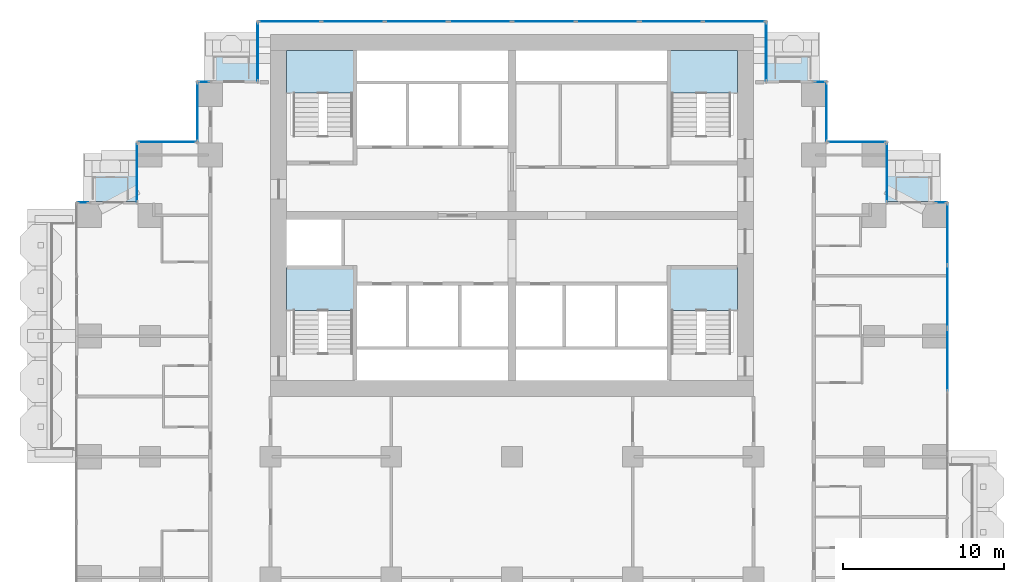
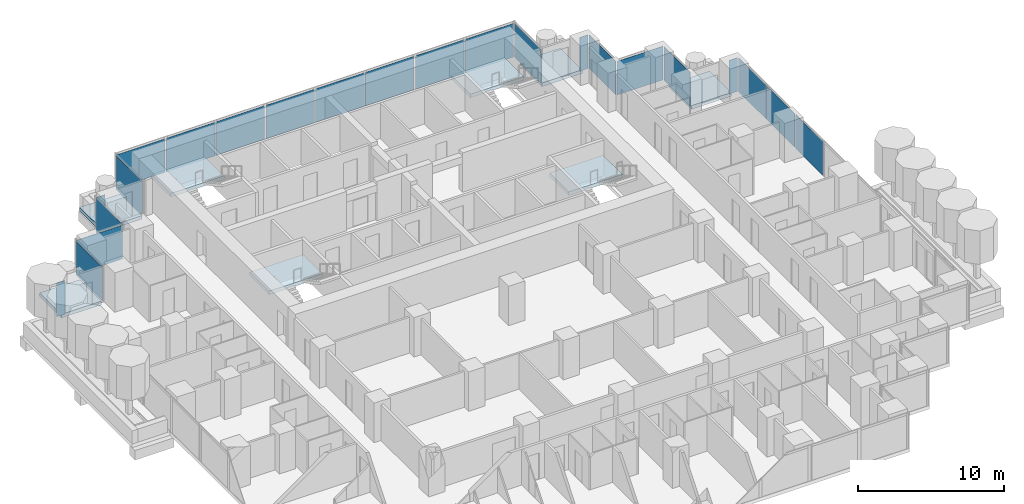
# One storey, part 9 of 19: 23 plates, 8 slabs, 21 elements without a shape of their own.
"""IFC4 building model written with IfcOpenShell, lengths in metres."""

from ifc_helpers import new_model, si_unit, direction, frame, origin, origin_2d, place, context, subcontext, project, spatial, polyline, rectangle, outline, extrude, material, layer, layer_set, type_object, element, aggregate, save


model = new_model("IFC4")

# Units and contexts
model_context = context("Model", 3, precision=1e-05, world=origin(), true_north=direction((0.0, 1.0)))
body_context = subcontext(model_context, "Body", "Model", "MODEL_VIEW")
ifc_project = project(units=[si_unit("LENGTHUNIT", "METRE"), si_unit("AREAUNIT", "SQUARE_METRE"), si_unit("VOLUMEUNIT", "CUBIC_METRE"), si_unit("PLANEANGLEUNIT", "RADIAN"), si_unit("MASSUNIT", "GRAM", prefix="KILO")], contexts=[model_context])

# Site, building, storey
site_placement = place(None, origin())
site = spatial("IfcSite", under=ifc_project, at=site_placement, CompositionType="ELEMENT")
building_placement = place(site_placement, origin())
building = spatial("IfcBuilding", under=site, at=building_placement, Name="Pilkhan Gate Tower", CompositionType="ELEMENT")
storey_placement = place(building_placement, frame((0.0, 0.0, 95.60009765625)))
storey = spatial("IfcBuildingStorey", under=building, at=storey_placement, Name="L23", CompositionType="ELEMENT", Elevation=95.60009765625)

# Slabs
ifc_material_1 = material(Name="Concrete C60/75", Category="concrete")
ifc_layer_1 = layer(ifc_material_1, 0.300048828125)
ifc_layer_set_1 = layer_set([ifc_layer_1], Name="Balcony tray slab TR300")
slab_type_1 = type_object("IfcSlabType", Name="Balcony tray slab TR300", PredefinedType="FLOOR", material=ifc_layer_set_1)
slab_1_placement = place(storey_placement, frame((0.0, 0.0, -0.300048828125)))
element("IfcSlab", 1, at=slab_1_placement, inside=storey, type_object=slab_type_1, Name="Balcony tray L23 N", PredefinedType="FLOOR", context=body_context, shape_type="SweptSolid", body=[
    extrude(outline(polyline([(59.14990234375, 90.85009765625), (59.14990234375, 93.85009765625), (55.949951171875, 93.85009765625), (55.949951171875, 90.85009765625), (59.14990234375, 90.85009765625)])), origin(), (0.0, 0.0, 1.0), 0.300048828125),
])
slab_2_placement = place(storey_placement, frame((0.0, 0.0, -0.300048828125)))
element("IfcSlab", 2, at=slab_2_placement, inside=storey, type_object=slab_type_1, Name="Balcony tray L23 N", PredefinedType="FLOOR", context=body_context, shape_type="SweptSolid", body=[
    extrude(outline(polyline([(94.050048828125, 90.85009765625), (94.050048828125, 93.85009765625), (90.85009765625, 93.85009765625), (90.85009765625, 90.85009765625), (94.050048828125, 90.85009765625)])), origin(), (0.0, 0.0, 1.0), 0.300048828125),
])
slab_3_placement = place(storey_placement, frame((0.0, 0.0, -0.300048828125)))
element("IfcSlab", 3, at=slab_3_placement, inside=storey, type_object=slab_type_1, Name="Balcony tray L23 N", PredefinedType="FLOOR", context=body_context, shape_type="SweptSolid", body=[
    extrude(outline(polyline([(51.6298828125, 83.3701171875), (51.6298828125, 86.35009765625), (48.449951171875, 86.35009765625), (48.449951171875, 83.3701171875), (51.6298828125, 83.3701171875)])), origin(), (0.0, 0.0, 1.0), 0.300048828125),
])
slab_4_placement = place(storey_placement, frame((0.0, 0.0, -0.300048828125)))
element("IfcSlab", 4, at=slab_4_placement, inside=storey, type_object=slab_type_1, Name="Balcony tray L23 N", PredefinedType="FLOOR", context=body_context, shape_type="SweptSolid", body=[
    extrude(outline(polyline([(101.550048828125, 83.3701171875), (101.550048828125, 86.35009765625), (98.3701171875, 86.35009765625), (98.3701171875, 83.3701171875), (101.550048828125, 83.3701171875)])), origin(), (0.0, 0.0, 1.0), 0.300048828125),
])

# Curtain wall, plate
ifc_material_2 = material(Name="Pale anodised aluminium, clear low-iron double glazing", Category="aluminium")
curtain_wall_type = type_object("IfcCurtainWallType", Name="Hotel unitised curtain wall CW-H", PredefinedType="USERDEFINED", material=ifc_material_2)
curtain_wall_1_placement = place(storey_placement, origin())
curtain_wall_1 = element("IfcCurtainWall", 5, at=curtain_wall_1_placement, inside=storey, type_object=curtain_wall_type, Name="Hotel unitised curtain wall CW-H L23 E", ObjectType="UNITISED CURTAIN WALL", PredefinedType="USERDEFINED")
ifc_material_3 = material(Name="Clear low-iron double glazing", Category="glass")
ifc_layer_2 = layer(ifc_material_3, 0.035888671875)
ifc_layer_set_2 = layer_set([ifc_layer_2], Name="Glass panel CW-H 36")
plate_type = type_object("IfcPlateType", Name="Glass panel CW-H 36", PredefinedType="CURTAIN_PANEL", material=ifc_layer_set_2)
plate_1_placement = place(storey_placement, frame((102.044921875, 73.50634765625, 0.0), z_axis=(0.0, 0.0, 1.0), x_axis=(0.0, 1.0, 0.0)))
plate_1 = element("IfcPlate", 6, at=plate_1_placement, type_object=plate_type, Name="CW-H panel 3", PredefinedType="CURTAIN_PANEL", context=body_context, shape_type="SweptSolid", body=[
    extrude(rectangle(XDim=3.8115234375, YDim=0.035888671875, at=origin_2d()), origin(), (0.0, 0.0, 1.0), 2.820068359375),
])
aggregate(curtain_wall_1, [plate_1])

# Curtain wall, plates
curtain_wall_2_placement = place(storey_placement, origin())
curtain_wall_2 = element("IfcCurtainWall", 7, at=curtain_wall_2_placement, inside=storey, type_object=curtain_wall_type, Name="Hotel unitised curtain wall CW-H L23 E", ObjectType="UNITISED CURTAIN WALL", PredefinedType="USERDEFINED")
plate_2_placement = place(storey_placement, frame((102.044921875, 77.44775390625, 0.0), z_axis=(0.0, 0.0, 1.0), x_axis=(0.0, 1.0, 0.0)))
plate_2 = element("IfcPlate", 8, at=plate_2_placement, type_object=plate_type, Name="CW-H panel 1", PredefinedType="CURTAIN_PANEL", context=body_context, shape_type="SweptSolid", body=[
    extrude(rectangle(XDim=3.8115234375, YDim=0.035888671875, at=origin_2d()), origin(), (0.0, 0.0, 1.0), 2.820068359375),
])
plate_3_placement = place(storey_placement, frame((102.044921875, 81.32421875, 0.0), z_axis=(0.0, 0.0, 1.0), x_axis=(0.0, 1.0, 0.0)))
plate_3 = element("IfcPlate", 9, at=plate_3_placement, type_object=plate_type, Name="CW-H panel 2", PredefinedType="CURTAIN_PANEL", context=body_context, shape_type="SweptSolid", body=[
    extrude(rectangle(XDim=3.8115234375, YDim=0.035888671875, at=origin_2d()), origin(), (0.0, 0.0, 1.0), 2.820068359375),
])
aggregate(curtain_wall_2, [plate_2, plate_3])

# Curtain wall, plate
curtain_wall_3_placement = place(storey_placement, origin())
curtain_wall_3 = element("IfcCurtainWall", 10, at=curtain_wall_3_placement, inside=storey, type_object=curtain_wall_type, Name="Hotel unitised curtain wall CW-H L23 N", ObjectType="UNITISED CURTAIN WALL", PredefinedType="USERDEFINED")
plate_4_placement = place(storey_placement, frame((101.6474609375, 83.294921875, 0.0), z_axis=(0.0, 0.0, 1.0), x_axis=(1.0, 0.0, 0.0)))
plate_4 = element("IfcPlate", 11, at=plate_4_placement, type_object=plate_type, Name="CW-H panel 1", PredefinedType="CURTAIN_PANEL", context=body_context, shape_type="SweptSolid", body=[
    extrude(rectangle(XDim=0.6650390625, YDim=0.035888671875, at=origin_2d()), origin(), (0.0, 0.0, 1.0), 2.820068359375),
])
aggregate(curtain_wall_3, [plate_4])

curtain_wall_4_placement = place(storey_placement, origin())
curtain_wall_4 = element("IfcCurtainWall", 12, at=curtain_wall_4_placement, inside=storey, type_object=curtain_wall_type, Name="Hotel unitised curtain wall CW-H L23 E", ObjectType="UNITISED CURTAIN WALL", PredefinedType="USERDEFINED")
plate_5_placement = place(storey_placement, frame((98.294921875, 85.169921875, 0.0), z_axis=(0.0, 0.0, 1.0), x_axis=(0.0, 1.0, 0.0)))
plate_5 = element("IfcPlate", 13, at=plate_5_placement, type_object=plate_type, Name="CW-H panel 1", PredefinedType="CURTAIN_PANEL", context=body_context, shape_type="SweptSolid", body=[
    extrude(rectangle(XDim=3.6201171875, YDim=0.035888671875, at=origin_2d()), origin(), (0.0, 0.0, 1.0), 2.820068359375),
])
aggregate(curtain_wall_4, [plate_5])

curtain_wall_5_placement = place(storey_placement, origin())
curtain_wall_5 = element("IfcCurtainWall", 14, at=curtain_wall_5_placement, inside=storey, type_object=curtain_wall_type, Name="Hotel unitised curtain wall CW-H L23 N", ObjectType="UNITISED CURTAIN WALL", PredefinedType="USERDEFINED")
plate_6_placement = place(storey_placement, frame((96.419921875, 87.044921875, 0.0), z_axis=(0.0, 0.0, 1.0), x_axis=(1.0, 0.0, 0.0)))
plate_6 = element("IfcPlate", 15, at=plate_6_placement, type_object=plate_type, Name="CW-H panel 1", PredefinedType="CURTAIN_PANEL", context=body_context, shape_type="SweptSolid", body=[
    extrude(rectangle(XDim=3.6201171875, YDim=0.035888671875, at=origin_2d()), origin(), (0.0, 0.0, 1.0), 2.820068359375),
])
aggregate(curtain_wall_5, [plate_6])

curtain_wall_6_placement = place(storey_placement, origin())
curtain_wall_6 = element("IfcCurtainWall", 16, at=curtain_wall_6_placement, inside=storey, type_object=curtain_wall_type, Name="Hotel unitised curtain wall CW-H L23 E", ObjectType="UNITISED CURTAIN WALL", PredefinedType="USERDEFINED")
plate_7_placement = place(storey_placement, frame((94.544921875, 88.919921875, 0.0), z_axis=(0.0, 0.0, 1.0), x_axis=(0.0, 1.0, 0.0)))
plate_7 = element("IfcPlate", 17, at=plate_7_placement, type_object=plate_type, Name="CW-H panel 1", PredefinedType="CURTAIN_PANEL", context=body_context, shape_type="SweptSolid", body=[
    extrude(rectangle(XDim=3.6201171875, YDim=0.035888671875, at=origin_2d()), origin(), (0.0, 0.0, 1.0), 2.820068359375),
])
aggregate(curtain_wall_6, [plate_7])

curtain_wall_7_placement = place(storey_placement, origin())
curtain_wall_7 = element("IfcCurtainWall", 18, at=curtain_wall_7_placement, inside=storey, type_object=curtain_wall_type, Name="Hotel unitised curtain wall CW-H L23 N", ObjectType="UNITISED CURTAIN WALL", PredefinedType="USERDEFINED")
plate_8_placement = place(storey_placement, frame((94.1474609375, 90.794921875, 0.0), z_axis=(0.0, 0.0, 1.0), x_axis=(1.0, 0.0, 0.0)))
plate_8 = element("IfcPlate", 19, at=plate_8_placement, type_object=plate_type, Name="CW-H panel 1", PredefinedType="CURTAIN_PANEL", context=body_context, shape_type="SweptSolid", body=[
    extrude(rectangle(XDim=0.6650390625, YDim=0.035888671875, at=origin_2d()), origin(), (0.0, 0.0, 1.0), 2.820068359375),
])
aggregate(curtain_wall_7, [plate_8])

curtain_wall_8_placement = place(storey_placement, origin())
curtain_wall_8 = element("IfcCurtainWall", 20, at=curtain_wall_8_placement, inside=storey, type_object=curtain_wall_type, Name="Hotel unitised curtain wall CW-H L23 E", ObjectType="UNITISED CURTAIN WALL", PredefinedType="USERDEFINED")
plate_9_placement = place(storey_placement, frame((90.794921875, 92.669921875, 0.0), z_axis=(0.0, 0.0, 1.0), x_axis=(0.0, 1.0, 0.0)))
plate_9 = element("IfcPlate", 21, at=plate_9_placement, type_object=plate_type, Name="CW-H panel 1", PredefinedType="CURTAIN_PANEL", context=body_context, shape_type="SweptSolid", body=[
    extrude(rectangle(XDim=3.6201171875, YDim=0.035888671875, at=origin_2d()), origin(), (0.0, 0.0, 1.0), 2.820068359375),
])
aggregate(curtain_wall_8, [plate_9])

# Curtain wall, plates
curtain_wall_9_placement = place(storey_placement, origin())
curtain_wall_9 = element("IfcCurtainWall", 22, at=curtain_wall_9_placement, inside=storey, type_object=curtain_wall_type, Name="Hotel unitised curtain wall CW-H L23 N", ObjectType="UNITISED CURTAIN WALL", PredefinedType="USERDEFINED")
plate_10_placement = place(storey_placement, frame((61.195556640625, 94.544921875, 0.0), z_axis=(0.0, 0.0, 1.0), x_axis=(1.0, 0.0, 0.0)))
plate_10 = element("IfcPlate", 23, at=plate_10_placement, type_object=plate_type, Name="CW-H panel 1", PredefinedType="CURTAIN_PANEL", context=body_context, shape_type="SweptSolid", body=[
    extrude(rectangle(XDim=3.851318359375, YDim=0.035888671875, at=origin_2d()), origin(), (0.0, 0.0, 1.0), 2.820068359375),
])
plate_11_placement = place(storey_placement, frame((65.128173828125, 94.544921875, 0.0), z_axis=(0.0, 0.0, 1.0), x_axis=(1.0, 0.0, 0.0)))
plate_11 = element("IfcPlate", 24, at=plate_11_placement, type_object=plate_type, Name="CW-H panel 2", PredefinedType="CURTAIN_PANEL", context=body_context, shape_type="SweptSolid", body=[
    extrude(rectangle(XDim=3.8837890625, YDim=0.035888671875, at=origin_2d()), origin(), (0.0, 0.0, 1.0), 2.820068359375),
])
plate_12_placement = place(storey_placement, frame((69.060546875, 94.544921875, 0.0), z_axis=(0.0, 0.0, 1.0), x_axis=(1.0, 0.0, 0.0)))
plate_12 = element("IfcPlate", 25, at=plate_12_placement, type_object=plate_type, Name="CW-H panel 3", PredefinedType="CURTAIN_PANEL", context=body_context, shape_type="SweptSolid", body=[
    extrude(rectangle(XDim=3.851318359375, YDim=0.035888671875, at=origin_2d()), origin(), (0.0, 0.0, 1.0), 2.820068359375),
])
aggregate(curtain_wall_9, [plate_10, plate_11, plate_12])

curtain_wall_10_placement = place(storey_placement, origin())
curtain_wall_10 = element("IfcCurtainWall", 26, at=curtain_wall_10_placement, inside=storey, type_object=curtain_wall_type, Name="Hotel unitised curtain wall CW-H L23 N", ObjectType="UNITISED CURTAIN WALL", PredefinedType="USERDEFINED")
plate_13_placement = place(storey_placement, frame((73.0419921875, 94.544921875, 0.0), z_axis=(0.0, 0.0, 1.0), x_axis=(1.0, 0.0, 0.0)))
plate_13 = element("IfcPlate", 27, at=plate_13_placement, type_object=plate_type, Name="CW-H panel 1", PredefinedType="CURTAIN_PANEL", context=body_context, shape_type="SweptSolid", body=[
    extrude(rectangle(XDim=3.851318359375, YDim=0.035888671875, at=origin_2d()), origin(), (0.0, 0.0, 1.0), 2.820068359375),
])
plate_14_placement = place(storey_placement, frame((76.974365234375, 94.544921875, 0.0), z_axis=(0.0, 0.0, 1.0), x_axis=(1.0, 0.0, 0.0)))
plate_14 = element("IfcPlate", 28, at=plate_14_placement, type_object=plate_type, Name="CW-H panel 2", PredefinedType="CURTAIN_PANEL", context=body_context, shape_type="SweptSolid", body=[
    extrude(rectangle(XDim=3.8837890625, YDim=0.035888671875, at=origin_2d()), origin(), (0.0, 0.0, 1.0), 2.820068359375),
])
plate_15_placement = place(storey_placement, frame((80.906982421875, 94.544921875, 0.0), z_axis=(0.0, 0.0, 1.0), x_axis=(1.0, 0.0, 0.0)))
plate_15 = element("IfcPlate", 29, at=plate_15_placement, type_object=plate_type, Name="CW-H panel 3", PredefinedType="CURTAIN_PANEL", context=body_context, shape_type="SweptSolid", body=[
    extrude(rectangle(XDim=3.851318359375, YDim=0.035888671875, at=origin_2d()), origin(), (0.0, 0.0, 1.0), 2.820068359375),
])
aggregate(curtain_wall_10, [plate_13, plate_14, plate_15])

curtain_wall_11_placement = place(storey_placement, origin())
curtain_wall_11 = element("IfcCurtainWall", 30, at=curtain_wall_11_placement, inside=storey, type_object=curtain_wall_type, Name="Hotel unitised curtain wall CW-H L23 N", ObjectType="UNITISED CURTAIN WALL", PredefinedType="USERDEFINED")
plate_16_placement = place(storey_placement, frame((84.88818359375, 94.544921875, 0.0), z_axis=(0.0, 0.0, 1.0), x_axis=(1.0, 0.0, 0.0)))
plate_16 = element("IfcPlate", 31, at=plate_16_placement, type_object=plate_type, Name="CW-H panel 1", PredefinedType="CURTAIN_PANEL", context=body_context, shape_type="SweptSolid", body=[
    extrude(rectangle(XDim=3.851318359375, YDim=0.035888671875, at=origin_2d()), origin(), (0.0, 0.0, 1.0), 2.820068359375),
])
plate_17_placement = place(storey_placement, frame((88.804443359375, 94.544921875, 0.0), z_axis=(0.0, 0.0, 1.0), x_axis=(1.0, 0.0, 0.0)))
plate_17 = element("IfcPlate", 32, at=plate_17_placement, type_object=plate_type, Name="CW-H panel 2", PredefinedType="CURTAIN_PANEL", context=body_context, shape_type="SweptSolid", body=[
    extrude(rectangle(XDim=3.851318359375, YDim=0.035888671875, at=origin_2d()), origin(), (0.0, 0.0, 1.0), 2.820068359375),
])
aggregate(curtain_wall_11, [plate_16, plate_17])

# Curtain wall, plate
curtain_wall_12_placement = place(storey_placement, origin())
curtain_wall_12 = element("IfcCurtainWall", 33, at=curtain_wall_12_placement, inside=storey, type_object=curtain_wall_type, Name="Hotel unitised curtain wall CW-H L23 W", ObjectType="UNITISED CURTAIN WALL", PredefinedType="USERDEFINED")
plate_18_placement = place(storey_placement, frame((59.205078125, 92.669921875, 0.0), z_axis=(0.0, 0.0, 1.0), x_axis=(0.0, 1.0, 0.0)))
plate_18 = element("IfcPlate", 34, at=plate_18_placement, type_object=plate_type, Name="CW-H panel 1", PredefinedType="CURTAIN_PANEL", context=body_context, shape_type="SweptSolid", body=[
    extrude(rectangle(XDim=3.6201171875, YDim=0.035888671875, at=origin_2d()), origin(), (0.0, 0.0, 1.0), 2.820068359375),
])
aggregate(curtain_wall_12, [plate_18])

curtain_wall_13_placement = place(storey_placement, origin())
curtain_wall_13 = element("IfcCurtainWall", 35, at=curtain_wall_13_placement, inside=storey, type_object=curtain_wall_type, Name="Hotel unitised curtain wall CW-H L23 N", ObjectType="UNITISED CURTAIN WALL", PredefinedType="USERDEFINED")
plate_19_placement = place(storey_placement, frame((55.8525390625, 90.794921875, 0.0), z_axis=(0.0, 0.0, 1.0), x_axis=(1.0, 0.0, 0.0)))
plate_19 = element("IfcPlate", 36, at=plate_19_placement, type_object=plate_type, Name="CW-H panel 1", PredefinedType="CURTAIN_PANEL", context=body_context, shape_type="SweptSolid", body=[
    extrude(rectangle(XDim=0.6650390625, YDim=0.035888671875, at=origin_2d()), origin(), (0.0, 0.0, 1.0), 2.820068359375),
])
aggregate(curtain_wall_13, [plate_19])

curtain_wall_14_placement = place(storey_placement, origin())
curtain_wall_14 = element("IfcCurtainWall", 37, at=curtain_wall_14_placement, inside=storey, type_object=curtain_wall_type, Name="Hotel unitised curtain wall CW-H L23 W", ObjectType="UNITISED CURTAIN WALL", PredefinedType="USERDEFINED")
plate_20_placement = place(storey_placement, frame((55.455078125, 88.919921875, 0.0), z_axis=(0.0, 0.0, 1.0), x_axis=(0.0, 1.0, 0.0)))
plate_20 = element("IfcPlate", 38, at=plate_20_placement, type_object=plate_type, Name="CW-H panel 1", PredefinedType="CURTAIN_PANEL", context=body_context, shape_type="SweptSolid", body=[
    extrude(rectangle(XDim=3.6201171875, YDim=0.035888671875, at=origin_2d()), origin(), (0.0, 0.0, 1.0), 2.820068359375),
])
aggregate(curtain_wall_14, [plate_20])

curtain_wall_15_placement = place(storey_placement, origin())
curtain_wall_15 = element("IfcCurtainWall", 39, at=curtain_wall_15_placement, inside=storey, type_object=curtain_wall_type, Name="Hotel unitised curtain wall CW-H L23 N", ObjectType="UNITISED CURTAIN WALL", PredefinedType="USERDEFINED")
plate_21_placement = place(storey_placement, frame((53.580078125, 87.044921875, 0.0), z_axis=(0.0, 0.0, 1.0), x_axis=(1.0, 0.0, 0.0)))
plate_21 = element("IfcPlate", 40, at=plate_21_placement, type_object=plate_type, Name="CW-H panel 1", PredefinedType="CURTAIN_PANEL", context=body_context, shape_type="SweptSolid", body=[
    extrude(rectangle(XDim=3.6201171875, YDim=0.035888671875, at=origin_2d()), origin(), (0.0, 0.0, 1.0), 2.820068359375),
])
aggregate(curtain_wall_15, [plate_21])

curtain_wall_16_placement = place(storey_placement, origin())
curtain_wall_16 = element("IfcCurtainWall", 41, at=curtain_wall_16_placement, inside=storey, type_object=curtain_wall_type, Name="Hotel unitised curtain wall CW-H L23 W", ObjectType="UNITISED CURTAIN WALL", PredefinedType="USERDEFINED")
plate_22_placement = place(storey_placement, frame((51.705078125, 85.169921875, 0.0), z_axis=(0.0, 0.0, 1.0), x_axis=(0.0, 1.0, 0.0)))
plate_22 = element("IfcPlate", 42, at=plate_22_placement, type_object=plate_type, Name="CW-H panel 1", PredefinedType="CURTAIN_PANEL", context=body_context, shape_type="SweptSolid", body=[
    extrude(rectangle(XDim=3.6201171875, YDim=0.035888671875, at=origin_2d()), origin(), (0.0, 0.0, 1.0), 2.820068359375),
])
aggregate(curtain_wall_16, [plate_22])

curtain_wall_17_placement = place(storey_placement, origin())
curtain_wall_17 = element("IfcCurtainWall", 43, at=curtain_wall_17_placement, inside=storey, type_object=curtain_wall_type, Name="Hotel unitised curtain wall CW-H L23 N", ObjectType="UNITISED CURTAIN WALL", PredefinedType="USERDEFINED")
plate_23_placement = place(storey_placement, frame((48.3525390625, 83.294921875, 0.0), z_axis=(0.0, 0.0, 1.0), x_axis=(1.0, 0.0, 0.0)))
plate_23 = element("IfcPlate", 44, at=plate_23_placement, type_object=plate_type, Name="CW-H panel 1", PredefinedType="CURTAIN_PANEL", context=body_context, shape_type="SweptSolid", body=[
    extrude(rectangle(XDim=0.6650390625, YDim=0.035888671875, at=origin_2d()), origin(), (0.0, 0.0, 1.0), 2.820068359375),
])
aggregate(curtain_wall_17, [plate_23])

# Stair, slab
ifc_material_4 = material(Name="Concrete C40/50 precast", Category="concrete")
stair_type_1 = type_object("IfcStairType", Name="Stair ST1 165x300", PredefinedType="HALF_TURN_STAIR", material=ifc_material_4)
stair_1_placement = place(storey_placement, origin())
stair_1 = element("IfcStair", 45, at=stair_1_placement, inside=storey, type_object=stair_type_1, Name="Stair ST1 L23", PredefinedType="HALF_TURN_STAIR")
ifc_material_5 = material(Name="Concrete C40/50", Category="concrete")
ifc_layer_3 = layer(ifc_material_5, 0.199951171875)
ifc_layer_set_3 = layer_set([ifc_layer_3], Name="Stair landing SL200")
slab_type_2 = type_object("IfcSlabType", Name="Stair landing SL200", PredefinedType="LANDING", material=ifc_layer_set_3)
slab_5_placement = place(storey_placement, frame((0.0, 0.0, 1.349853515625)))
slab_5 = element("IfcSlab", 46, at=slab_5_placement, type_object=slab_type_2, Name="ST1 landing 1", PredefinedType="LANDING", context=body_context, shape_type="SweptSolid", body=[
    extrude(outline(polyline([(89.0, 76.60009765625), (89.0, 79.25), (84.75, 79.25), (84.75, 76.60009765625), (89.0, 76.60009765625)])), origin(), (0.0, 0.0, 1.0), 0.300048828125),
])
aggregate(stair_1, [slab_5])

stair_type_2 = type_object("IfcStairType", Name="Stair ST2 165x300", PredefinedType="HALF_TURN_STAIR", material=ifc_material_4)
stair_2_placement = place(storey_placement, origin())
stair_2 = element("IfcStair", 47, at=stair_2_placement, inside=storey, type_object=stair_type_2, Name="Stair ST2 L23", PredefinedType="HALF_TURN_STAIR")
slab_6_placement = place(storey_placement, frame((0.0, 0.0, 1.349853515625)))
slab_6 = element("IfcSlab", 48, at=slab_6_placement, type_object=slab_type_2, Name="ST2 landing 1", PredefinedType="LANDING", context=body_context, shape_type="SweptSolid", body=[
    extrude(outline(polyline([(65.25, 76.60009765625), (65.25, 79.25), (61.0, 79.25), (61.0, 76.60009765625), (65.25, 76.60009765625)])), origin(), (0.0, 0.0, 1.0), 0.300048828125),
])
aggregate(stair_2, [slab_6])

stair_type_3 = type_object("IfcStairType", Name="Stair ST3 165x300", PredefinedType="HALF_TURN_STAIR", material=ifc_material_4)
stair_3_placement = place(storey_placement, origin())
stair_3 = element("IfcStair", 49, at=stair_3_placement, inside=storey, type_object=stair_type_3, Name="Stair ST3 L23", PredefinedType="HALF_TURN_STAIR")
slab_7_placement = place(storey_placement, frame((0.0, 0.0, 1.349853515625)))
slab_7 = element("IfcSlab", 50, at=slab_7_placement, type_object=slab_type_2, Name="ST3 landing 1", PredefinedType="LANDING", context=body_context, shape_type="SweptSolid", body=[
    extrude(outline(polyline([(65.25, 90.10009765625), (65.25, 92.75), (61.0, 92.75), (61.0, 90.10009765625), (65.25, 90.10009765625)])), origin(), (0.0, 0.0, 1.0), 0.300048828125),
])
aggregate(stair_3, [slab_7])

stair_type_4 = type_object("IfcStairType", Name="Stair ST4 165x300", PredefinedType="HALF_TURN_STAIR", material=ifc_material_4)
stair_4_placement = place(storey_placement, origin())
stair_4 = element("IfcStair", 51, at=stair_4_placement, inside=storey, type_object=stair_type_4, Name="Stair ST4 L23", PredefinedType="HALF_TURN_STAIR")
slab_8_placement = place(storey_placement, frame((0.0, 0.0, 1.349853515625)))
slab_8 = element("IfcSlab", 52, at=slab_8_placement, type_object=slab_type_2, Name="ST4 landing 1", PredefinedType="LANDING", context=body_context, shape_type="SweptSolid", body=[
    extrude(outline(polyline([(89.0, 90.10009765625), (89.0, 92.75), (84.75, 92.75), (84.75, 90.10009765625), (89.0, 90.10009765625)])), origin(), (0.0, 0.0, 1.0), 0.300048828125),
])
aggregate(stair_4, [slab_8])

save(model, "model.ifc")
